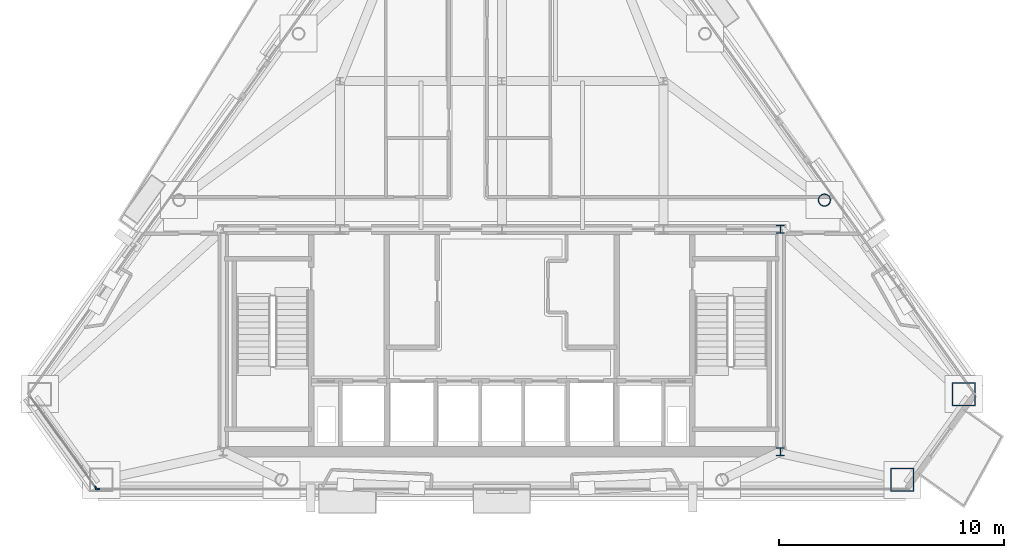
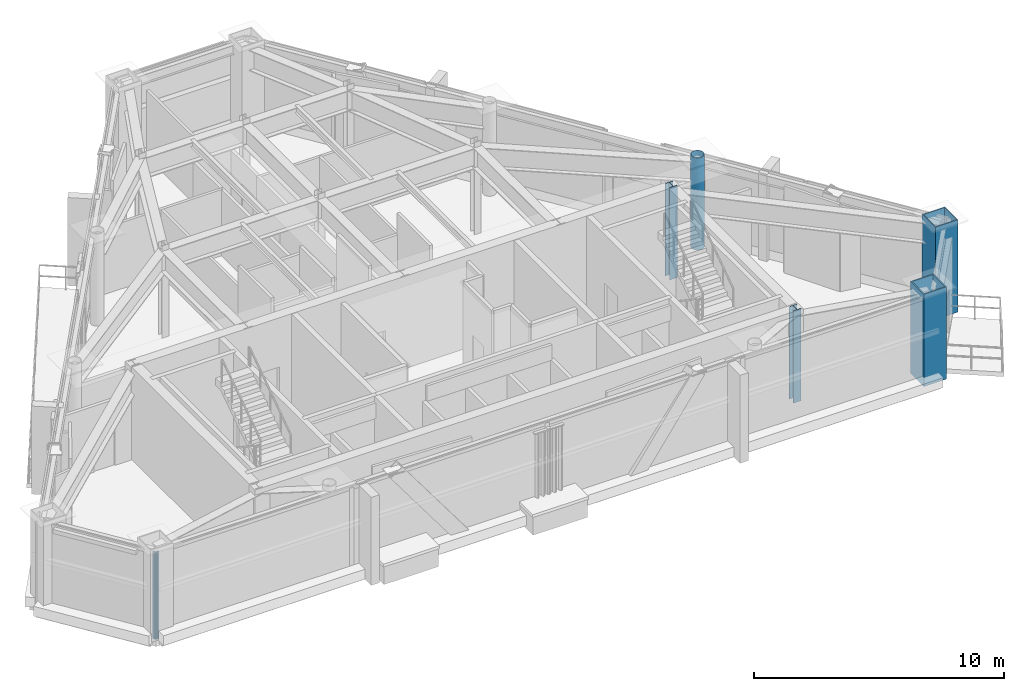
# One storey, part 2 of 11: 5 columns, 2 members, 2 elements without a shape of their own.
"""IFC4 building model written with IfcOpenShell, lengths in metres."""

from ifc_helpers import new_model, si_unit, direction, frame, origin, origin_2d, place, context, subcontext, project, spatial, rectangle, hollow_rectangle, hollow_circle, i_section, extrude, material, layer, layer_set, material_profile, profile_set, type_object, element, aggregate, save


model = new_model("IFC4")

# Units and contexts
model_context = context("Model", 3, precision=1e-05, world=origin(), true_north=direction((0.0, 1.0)))
body_context = subcontext(model_context, "Body", "Model", "MODEL_VIEW")
ifc_project = project(units=[si_unit("LENGTHUNIT", "METRE"), si_unit("AREAUNIT", "SQUARE_METRE"), si_unit("VOLUMEUNIT", "CUBIC_METRE"), si_unit("PLANEANGLEUNIT", "RADIAN"), si_unit("MASSUNIT", "GRAM", prefix="KILO")], contexts=[model_context])

# Site, building, storey
site_placement = place(None, origin())
site = spatial("IfcSite", under=ifc_project, at=site_placement, CompositionType="ELEMENT")
building_placement = place(site_placement, origin())
building = spatial("IfcBuilding", under=site, at=building_placement, Name="Talgorran Terracotta Tower", CompositionType="ELEMENT")
storey_placement = place(building_placement, frame((0.0, 0.0, 228.89990234375)))
storey = spatial("IfcBuildingStorey", under=building, at=storey_placement, Name="L60", CompositionType="ELEMENT", Elevation=228.89990234375)

# Columns
ifc_material_1 = material(Name="Steel S355 (300PLUS)", Category="steel")
ifc_material_profile_1 = material_profile(ifc_material_1, i_section(OverallWidth=0.35205078125, OverallDepth=0.35888671875, WebThickness=0.01806640625, FlangeThickness=0.02587890625, at=origin_2d()), Name="350WC197")
ifc_profile_set_1 = profile_set([ifc_material_profile_1], Name="Steel S355 (300PLUS)")
column_type_1 = type_object("IfcColumnType", Name="COL_350WC197", PredefinedType="COLUMN", material=ifc_profile_set_1)
for number, where, z_axis, x_axis, name in (
    (1, (12.39990234375, -14.10009765625, 0.0), (0.0, 0.0, 1.0), (1.0, 0.0, 0.0), "L60 Core Boundary Column CC2"),
    (2, (12.39990234375, -4.199951171875, 0.0), (0.0, 0.0, 1.0), (1.0, 0.0, 0.0), "L60 Core Boundary Column CC3"),
):
    element("IfcColumn", number, at=place(storey_placement, frame(where, z_axis=z_axis, x_axis=x_axis)), inside=storey, type_object=column_type_1, Name=name, PredefinedType="COLUMN", context=body_context, shape_type="SweptSolid", body=[
        extrude(i_section(OverallWidth=0.35205078125, OverallDepth=0.35888671875, WebThickness=0.01806640625, FlangeThickness=0.02587890625, at=origin_2d()), origin(), (0.0, 0.0, 1.0), 4.5),
    ])
ifc_material_2 = material(Name="Steel Grade 350 (350L0)", Category="steel")
ifc_material_profile_2 = material_profile(ifc_material_2, hollow_rectangle(XDim=1.050048828125, YDim=1.050048828125, WallThickness=0.044921875, at=origin_2d()), Name="CFT1050X1050X45")
ifc_profile_set_2 = profile_set([ifc_material_profile_2], Name="Steel Grade 350 (350L0)")
column_type_2 = type_object("IfcColumnType", Name="COL_CFT_1050", PredefinedType="COLUMN", material=ifc_profile_set_2)
for number, where, z_axis, x_axis, name in (
    (3, (17.830078125, -15.352294921875, 0.0), (0.0, 0.0, 1.0), (1.0, 0.0, 0.0), "L60 Corner CFT Mega-Column MC3"),
    (4, (20.566650390625, -11.53955078125, 0.0), (0.0, 0.0, 1.0), (1.0, 0.0, 0.0), "L60 Corner CFT Mega-Column MC4"),
):
    element("IfcColumn", number, at=place(storey_placement, frame(where, z_axis=z_axis, x_axis=x_axis)), inside=storey, type_object=column_type_2, Name=name, PredefinedType="COLUMN", context=body_context, shape_type="SweptSolid", body=[
        extrude(hollow_rectangle(XDim=1.050048828125, YDim=1.050048828125, WallThickness=0.044921875, at=origin_2d()), origin(), (0.0, 0.0, 1.0), 4.5),
    ])
ifc_material_profile_3 = material_profile(ifc_material_2, hollow_circle(Radius=0.27490234375, WallThickness=0.02392578125, at=origin_2d()), Name="CHS550X24")
ifc_profile_set_3 = profile_set([ifc_material_profile_3], Name="Steel Grade 350 (350L0)")
column_type_3 = type_object("IfcColumnType", Name="COL_CHS_550", PredefinedType="COLUMN", material=ifc_profile_set_3)
column_placement = place(storey_placement, frame((14.36328125, -2.897216796875, 0.0), z_axis=(0.0, 0.0, 1.0), x_axis=(1.0, 0.0, 0.0)))
element("IfcColumn", 5, at=column_placement, inside=storey, type_object=column_type_3, Name="L60 Facet Perimeter Column FC3", PredefinedType="COLUMN", context=body_context, shape_type="SweptSolid", body=[
    extrude(hollow_circle(Radius=0.27490234375, WallThickness=0.02392578125, at=origin_2d()), origin(), (0.0, 0.0, 1.0), 4.5),
])

# Curtain wall, member
ifc_material_3 = material(Name="High-Wind Unitised Glazing", Category="glass")
ifc_layer = layer(ifc_material_3, 0.2099609375, Name="CW_SYS3_RES_HIGH")
ifc_layer_set = layer_set([ifc_layer], Name="High-Wind Unitised Glazing")
curtain_wall_type = type_object("IfcCurtainWallType", Name="CW_SYS3_RES_HIGH", PredefinedType="NOTDEFINED", material=ifc_layer_set)
curtain_wall_1_placement = place(storey_placement, origin())
curtain_wall_1 = element("IfcCurtainWall", 6, at=curtain_wall_1_placement, inside=storey, type_object=curtain_wall_type, Name="CW-L60-F0", PredefinedType="NOTDEFINED")
ifc_material_4 = material(Name="Architectural Aluminium 6063-T6", Category="aluminium")
ifc_material_profile_4 = material_profile(ifc_material_4, rectangle(XDim=0.070068359375, YDim=0.199951171875, at=origin_2d()), Name="CWM70X200")
ifc_profile_set_4 = profile_set([ifc_material_profile_4], Name="Architectural Aluminium 6063-T6")
member_type = type_object("IfcMemberType", Name="MUL_70X200", PredefinedType="MULLION", material=ifc_profile_set_4)
member_1_placement = place(storey_placement, frame((-18.055908203125, -15.723876953125, 0.0), z_axis=(0.0, 0.0, 1.0), x_axis=(0.812390492916, 0.583113785654, 0.0)))
member_1 = element("IfcMember", 7, at=member_1_placement, type_object=member_type, Name="CW-L60-0 mullion 2", PredefinedType="MULLION", context=body_context, shape_type="SweptSolid", body=[
    extrude(rectangle(XDim=0.070068359375, YDim=0.199951171875, at=origin_2d()), origin(), (0.0, 0.0, 1.0), 4.2451171875),
])
aggregate(curtain_wall_1, [member_1])

curtain_wall_2_placement = place(storey_placement, origin())
curtain_wall_2 = element("IfcCurtainWall", 8, at=curtain_wall_2_placement, inside=storey, type_object=curtain_wall_type, Name="CW-L60-F1", PredefinedType="NOTDEFINED")
member_2_placement = place(storey_placement, frame((-18.00048828125, -15.752197265625, 0.0), z_axis=(0.0, 0.0, 1.0), x_axis=(0.0, 1.0, 0.0)))
member_2 = element("IfcMember", 9, at=member_2_placement, type_object=member_type, Name="CW-L60-1 mullion 1", PredefinedType="MULLION", context=body_context, shape_type="SweptSolid", body=[
    extrude(rectangle(XDim=0.070068359375, YDim=0.199951171875, at=origin_2d()), origin(), (0.0, 0.0, 1.0), 4.2451171875),
])
aggregate(curtain_wall_2, [member_2])

save(model, "model.ifc")
